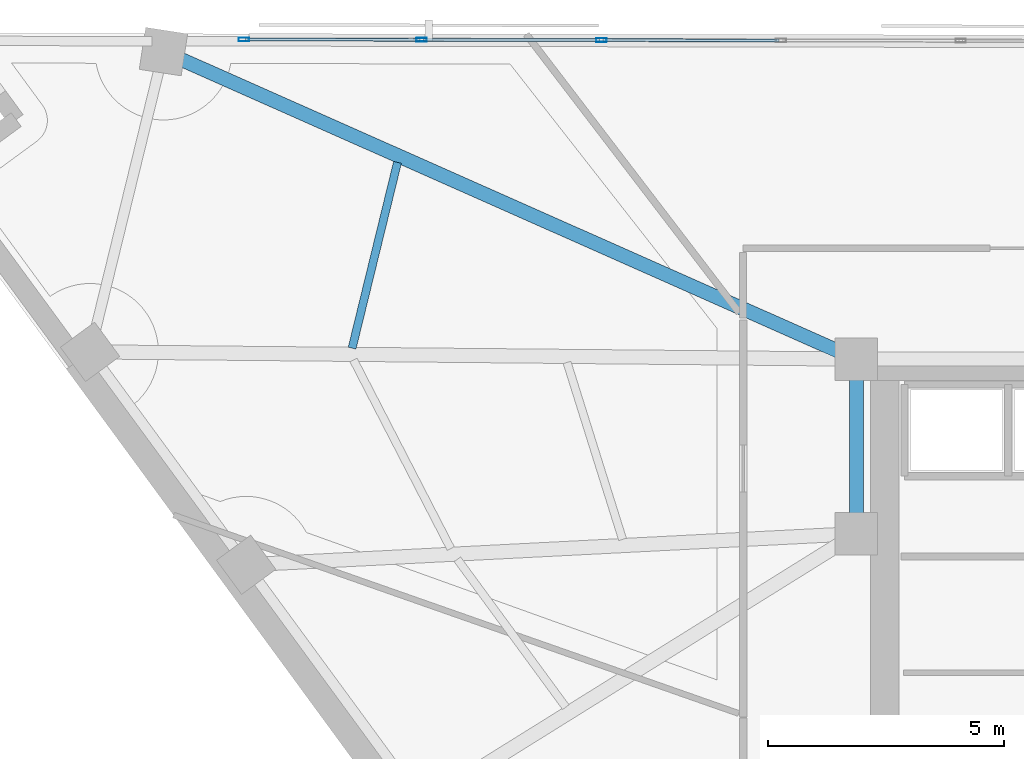
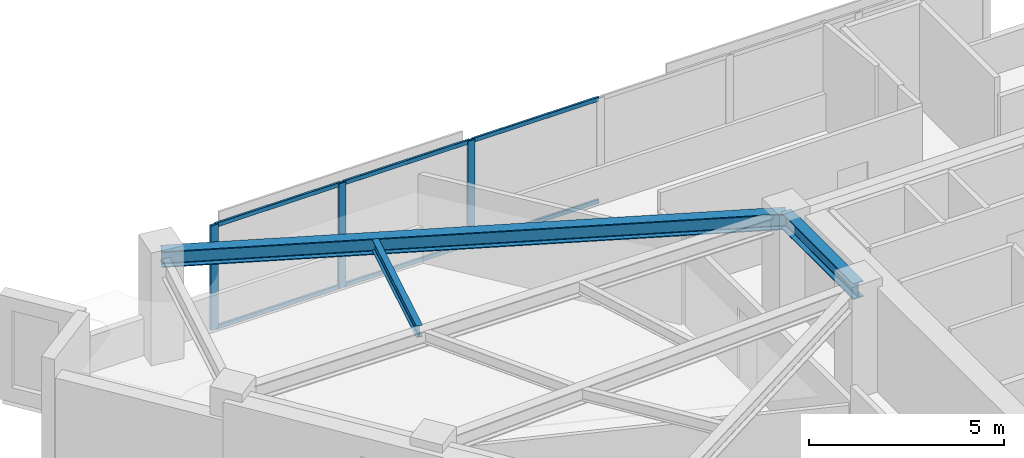
# One storey, part 2 of 13: 9 members, 3 beams, 1 element without a shape of its own.
"""IFC4 building model written with IfcOpenShell, lengths in metres."""

from ifc_helpers import new_model, si_unit, direction, frame, origin, origin_2d, place, context, subcontext, project, spatial, hollow_rectangle, i_section, extrude, material, material_profile, profile_set, type_object, element, aggregate, save


model = new_model("IFC4")

# Units and contexts
model_context = context("Model", 3, precision=1e-05, world=origin(), true_north=direction((0.0, 1.0)))
body_context = subcontext(model_context, "Body", "Model", "MODEL_VIEW")
ifc_project = project(units=[si_unit("LENGTHUNIT", "METRE"), si_unit("AREAUNIT", "SQUARE_METRE"), si_unit("VOLUMEUNIT", "CUBIC_METRE"), si_unit("PLANEANGLEUNIT", "RADIAN"), si_unit("MASSUNIT", "GRAM", prefix="KILO")], contexts=[model_context])

# Site, building, storey
site_placement = place(None, origin())
site = spatial("IfcSite", under=ifc_project, at=site_placement, CompositionType="ELEMENT")
building_placement = place(site_placement, origin())
building = spatial("IfcBuilding", under=site, at=building_placement, Name="Narakoshi Arena Tower", CompositionType="ELEMENT")
storey_placement = place(building_placement, frame((0.0, 0.0, 232.580078125)))
storey = spatial("IfcBuildingStorey", under=building, at=storey_placement, Name="L63", CompositionType="ELEMENT", Elevation=232.580078125)

# Beams
ifc_material_1 = material(Name="Structural steel S355J2", Category="steel")
ifc_material_profile_1 = material_profile(ifc_material_1, i_section(OverallWidth=0.300048828125, OverallDepth=0.5, WebThickness=0.014404296875, FlangeThickness=0.028076171875, FilletRadius=0.027099609375, at=origin_2d()), Name="HE500B")
ifc_profile_set_1 = profile_set([ifc_material_profile_1], Name="Structural steel S355J2")
beam_type_1 = type_object("IfcBeamType", Name="BM-PRI-500", PredefinedType="BEAM", material=ifc_profile_set_1)
beam_1_placement = place(storey_placement, frame((72.0, 56.5, 3.010009765625), z_axis=(-0.914014379094, 0.405681790089, 0.0), x_axis=(-0.405681790089, -0.914014379094, 0.0)))
element("IfcBeam", 1, at=beam_1_placement, inside=storey, type_object=beam_type_1, Name="L63 Radial Primary Floor Girder 08", PredefinedType="BEAM", context=body_context, shape_type="SweptSolid", body=[
    extrude(i_section(OverallWidth=0.300048828125, OverallDepth=0.5, WebThickness=0.014404296875, FlangeThickness=0.028076171875, FilletRadius=0.027099609375, at=origin_2d()), origin(), (0.0, 0.0, 1.0), 16.072998046875),
])
beam_2_placement = place(storey_placement, frame((72.0, 52.800048828125, 3.010009765625), z_axis=(0.0, 1.0, 0.0), x_axis=(-1.0, 0.0, 0.0)))
element("IfcBeam", 2, at=beam_2_placement, inside=storey, type_object=beam_type_1, Name="L63 Core Perimeter Frame Beam CC4-CC5", PredefinedType="BEAM", context=body_context, shape_type="SweptSolid", body=[
    extrude(i_section(OverallWidth=0.300048828125, OverallDepth=0.5, WebThickness=0.014404296875, FlangeThickness=0.028076171875, FilletRadius=0.027099609375, at=origin_2d()), origin(), (0.0, 0.0, 1.0), 3.699951171875),
])
ifc_material_profile_2 = material_profile(ifc_material_1, i_section(OverallWidth=0.169921875, OverallDepth=0.360107421875, WebThickness=0.008056640625, FlangeThickness=0.0126953125, FilletRadius=0.01806640625, at=origin_2d()), Name="IPE360")
ifc_profile_set_2 = profile_set([ifc_material_profile_2], Name="Structural steel S355J2")
beam_type_2 = type_object("IfcBeamType", Name="BM-SEC-360", PredefinedType="JOIST", material=ifc_profile_set_2)
beam_3_placement = place(storey_placement, frame((62.27197265625, 60.672607421875, 3.079833984375), z_axis=(-0.237419008325, -0.971407337056, 0.0), x_axis=(0.971407337056, -0.237419008325, 0.0)))
element("IfcBeam", 3, at=beam_3_placement, inside=storey, type_object=beam_type_2, Name="L63 Composite Secondary Floor Joist 07", PredefinedType="JOIST", context=body_context, shape_type="SweptSolid", body=[
    extrude(i_section(OverallWidth=0.169921875, OverallDepth=0.360107421875, WebThickness=0.008056640625, FlangeThickness=0.0126953125, FilletRadius=0.01806640625, at=origin_2d()), origin(), (0.0, 0.0, 1.0), 4.0556640625),
])

# Curtain wall, members
ifc_material_2 = material(Name="Anodised bronze aluminium 6063-T6", Category="aluminium")
curtain_wall_type = type_object("IfcCurtainWallType", Name="CW-HYP-HIGH", PredefinedType="NOTDEFINED", material=ifc_material_2)
curtain_wall_placement = place(storey_placement, origin())
curtain_wall = element("IfcCurtainWall", 4, at=curtain_wall_placement, inside=storey, type_object=curtain_wall_type, Name="L63 Folded Hypotenuse Curtain Wall 2-1", PredefinedType="NOTDEFINED")
ifc_material_profile_3 = material_profile(ifc_material_2, hollow_rectangle(XDim=0.080078125, YDim=0.219970703125, WallThickness=0.0048828125, OuterFilletRadius=0.006103515625, at=origin_2d()), Name="MUL220x80x5")
ifc_profile_set_3 = profile_set([ifc_material_profile_3], Name="Anodised bronze aluminium 6063-T6")
member_type_1 = type_object("IfcMemberType", Name="MEM-MUL-220", PredefinedType="MULLION", material=ifc_profile_set_3)
member_1_placement = place(storey_placement, frame((66.59326171875, 63.263671875, 0.0), z_axis=(0.0, 0.0, 1.0), x_axis=(-0.001819896899, -0.999998343986, 0.0)))
member_1 = element("IfcMember", 5, at=member_1_placement, type_object=member_type_1, Name="CW-03 mullion 5", PredefinedType="MULLION", context=body_context, shape_type="SweptSolid", body=[
    extrude(hollow_rectangle(XDim=0.080078125, YDim=0.219970703125, WallThickness=0.0048828125, OuterFilletRadius=0.006103515625, at=origin_2d()), origin(), (0.0, 0.0, 1.0), 3.260009765625),
])
member_2_placement = place(storey_placement, frame((62.78369140625, 63.270751953125, 0.0), z_axis=(0.0, 0.0, 1.0), x_axis=(-0.001819896899, -0.999998343986, 0.0)))
member_2 = element("IfcMember", 6, at=member_2_placement, type_object=member_type_1, Name="CW-03 mullion 6", PredefinedType="MULLION", context=body_context, shape_type="SweptSolid", body=[
    extrude(hollow_rectangle(XDim=0.080078125, YDim=0.219970703125, WallThickness=0.0048828125, OuterFilletRadius=0.006103515625, at=origin_2d()), origin(), (0.0, 0.0, 1.0), 3.260009765625),
])
member_3_placement = place(storey_placement, frame((59.013916015625, 63.277587890625, 0.0), z_axis=(0.0, 0.0, 1.0), x_axis=(-0.001819896899, -0.999998343986, 0.0)))
member_3 = element("IfcMember", 7, at=member_3_placement, type_object=member_type_1, Name="CW-03 mullion 7", PredefinedType="MULLION", context=body_context, shape_type="SweptSolid", body=[
    extrude(hollow_rectangle(XDim=0.080078125, YDim=0.219970703125, WallThickness=0.0048828125, OuterFilletRadius=0.006103515625, at=origin_2d()), origin(), (0.0, 0.0, 1.0), 3.260009765625),
])
ifc_material_profile_4 = material_profile(ifc_material_2, hollow_rectangle(XDim=0.06494140625, YDim=0.1298828125, WallThickness=0.00390625, OuterFilletRadius=0.0048828125, at=origin_2d()), Name="TRN130x65x4")
ifc_profile_set_4 = profile_set([ifc_material_profile_4], Name="Anodised bronze aluminium 6063-T6")
member_type_2 = type_object("IfcMemberType", Name="MEM-TRN-130", PredefinedType="USERDEFINED", material=ifc_profile_set_4)
member_4_placement = place(storey_placement, frame((70.363037109375, 63.2568359375, 0.032470703125), z_axis=(-0.999998320389, 0.001832817502, 0.0), x_axis=(-0.001832817502, -0.999998320389, 0.0)))
member_4 = element("IfcMember", 8, at=member_4_placement, type_object=member_type_2, Name="CW-03 transom 4.1", ObjectType="TRANSOM", PredefinedType="USERDEFINED", context=body_context, shape_type="SweptSolid", body=[
    extrude(hollow_rectangle(XDim=0.06494140625, YDim=0.1298828125, WallThickness=0.00390625, OuterFilletRadius=0.0048828125, at=origin_2d()), origin(), (0.0, 0.0, 1.0), 3.729736328125),
])
member_5_placement = place(storey_placement, frame((70.363037109375, 63.2568359375, 3.2275390625), z_axis=(-0.999998320389, 0.001832817502, 0.0), x_axis=(-0.001832817502, -0.999998320389, 0.0)))
member_5 = element("IfcMember", 9, at=member_5_placement, type_object=member_type_2, Name="CW-03 transom 4.2", ObjectType="TRANSOM", PredefinedType="USERDEFINED", context=body_context, shape_type="SweptSolid", body=[
    extrude(hollow_rectangle(XDim=0.06494140625, YDim=0.1298828125, WallThickness=0.00390625, OuterFilletRadius=0.0048828125, at=origin_2d()), origin(), (0.0, 0.0, 1.0), 3.729736328125),
])
member_6_placement = place(storey_placement, frame((66.553466796875, 63.263916015625, 0.032470703125), z_axis=(-0.999998438218, 0.001767359942, 0.0), x_axis=(-0.001767359942, -0.999998438218, 0.0)))
member_6 = element("IfcMember", 10, at=member_6_placement, type_object=member_type_2, Name="CW-03 transom 5.1", ObjectType="TRANSOM", PredefinedType="USERDEFINED", context=body_context, shape_type="SweptSolid", body=[
    extrude(hollow_rectangle(XDim=0.06494140625, YDim=0.1298828125, WallThickness=0.00390625, OuterFilletRadius=0.0048828125, at=origin_2d()), origin(), (0.0, 0.0, 1.0), 3.729736328125),
])
member_7_placement = place(storey_placement, frame((66.553466796875, 63.263916015625, 3.2275390625), z_axis=(-0.999998438218, 0.001767359942, 0.0), x_axis=(-0.001767359942, -0.999998438218, 0.0)))
member_7 = element("IfcMember", 11, at=member_7_placement, type_object=member_type_2, Name="CW-03 transom 5.2", ObjectType="TRANSOM", PredefinedType="USERDEFINED", context=body_context, shape_type="SweptSolid", body=[
    extrude(hollow_rectangle(XDim=0.06494140625, YDim=0.1298828125, WallThickness=0.00390625, OuterFilletRadius=0.0048828125, at=origin_2d()), origin(), (0.0, 0.0, 1.0), 3.729736328125),
])
member_8_placement = place(storey_placement, frame((62.74365234375, 63.270751953125, 0.032470703125), z_axis=(-0.999998404139, 0.001786538537, 0.0), x_axis=(-0.001786538537, -0.999998404139, 0.0)))
member_8 = element("IfcMember", 12, at=member_8_placement, type_object=member_type_2, Name="CW-03 transom 6.1", ObjectType="TRANSOM", PredefinedType="USERDEFINED", context=body_context, shape_type="SweptSolid", body=[
    extrude(hollow_rectangle(XDim=0.06494140625, YDim=0.1298828125, WallThickness=0.00390625, OuterFilletRadius=0.0048828125, at=origin_2d()), origin(), (0.0, 0.0, 1.0), 3.689697265625),
])
member_9_placement = place(storey_placement, frame((62.74365234375, 63.270751953125, 3.2275390625), z_axis=(-0.999998404139, 0.001786538537, 0.0), x_axis=(-0.001786538537, -0.999998404139, 0.0)))
member_9 = element("IfcMember", 13, at=member_9_placement, type_object=member_type_2, Name="CW-03 transom 6.2", ObjectType="TRANSOM", PredefinedType="USERDEFINED", context=body_context, shape_type="SweptSolid", body=[
    extrude(hollow_rectangle(XDim=0.06494140625, YDim=0.1298828125, WallThickness=0.00390625, OuterFilletRadius=0.0048828125, at=origin_2d()), origin(), (0.0, 0.0, 1.0), 3.689697265625),
])
aggregate(curtain_wall, [member_1, member_2, member_3, member_4, member_5, member_6, member_7, member_8, member_9])

save(model, "model.ifc")
